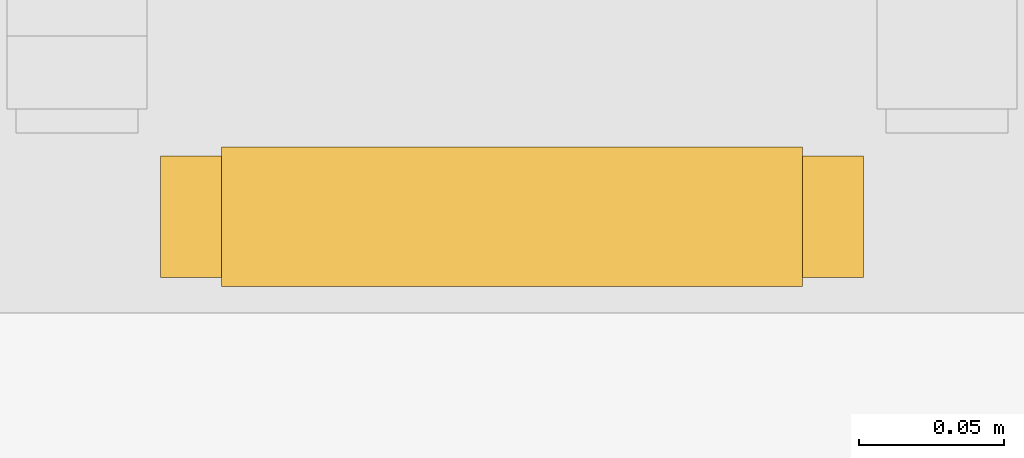
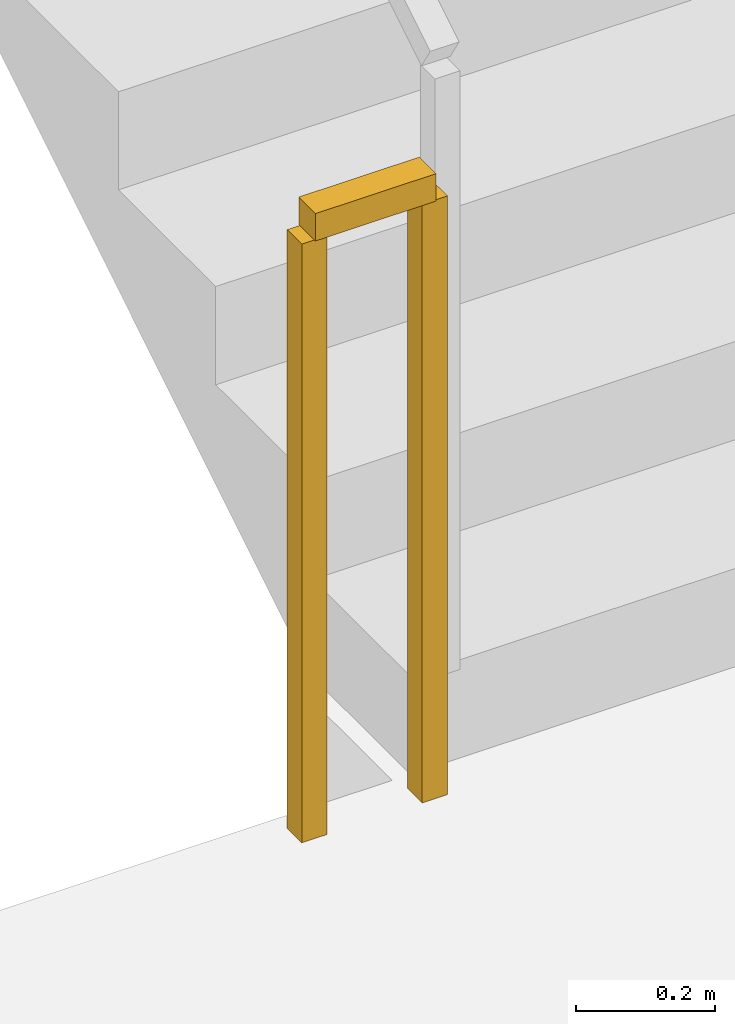
# One storey, part 8 of 11: 1 railing.
"""IFC4 building model written with IfcOpenShell, lengths in metres."""

from ifc_helpers import new_model, si_unit, direction, frame, origin, origin_2d, place, context, subcontext, project, spatial, rectangle, extrude, material, type_object, element, save


model = new_model("IFC4")

# Units and contexts
model_context = context("Model", 3, precision=1e-05, world=origin(), true_north=direction((0.0, 1.0)))
body_context = subcontext(model_context, "Body", "Model", "MODEL_VIEW")
ifc_project = project(units=[si_unit("LENGTHUNIT", "METRE"), si_unit("AREAUNIT", "SQUARE_METRE"), si_unit("VOLUMEUNIT", "CUBIC_METRE"), si_unit("PLANEANGLEUNIT", "RADIAN"), si_unit("MASSUNIT", "GRAM", prefix="KILO")], contexts=[model_context])

# Site, building, storey
site_placement = place(None, origin())
site = spatial("IfcSite", under=ifc_project, at=site_placement, CompositionType="ELEMENT")
building_placement = place(site_placement, origin())
building = spatial("IfcBuilding", under=site, at=building_placement, Name="Haldorwick Loom Tower", CompositionType="ELEMENT")
storey_placement = place(building_placement, frame((0.0, 0.0, 230.550048828125)))
storey = spatial("IfcBuildingStorey", under=building, at=storey_placement, Name="L62", CompositionType="ELEMENT", Elevation=230.550048828125)

# Railing
ifc_material = material(Name="Steel CSA G40.21 350W", Category="steel")
railing_type = type_object("IfcRailingType", Name="ARC-RLG-GUARD112", PredefinedType="GUARDRAIL", material=ifc_material)
railing_placement = place(storey_placement, frame((31.85009765625, 28.35009765625, 0.0)))
element("IfcRailing", 1, at=railing_placement, inside=storey, type_object=railing_type, Name="L62 ST-03 stair guard 4", PredefinedType="GUARDRAIL", context=body_context, shape_type="SweptSolid", body=[
    extrude(rectangle(XDim=0.048095703125, YDim=0.048095703125, at=origin_2d()), frame((0.0, 0.0, 1.076171875), z_axis=(-1.0, 0.0, 0.0), x_axis=(0.0, -1.0, 0.0)), (0.0, 0.0, 1.0), 0.2001953125),
    extrude(rectangle(XDim=0.0419921875, YDim=0.0419921875, at=origin_2d()), origin(), (0.0, 0.0, 1.0), 1.052001953125),
    extrude(rectangle(XDim=0.0419921875, YDim=0.0419921875, at=origin_2d()), frame((-0.2001953125, 0.0, 0.0)), (0.0, 0.0, 1.0), 1.052001953125),
])

save(model, "model.ifc")
